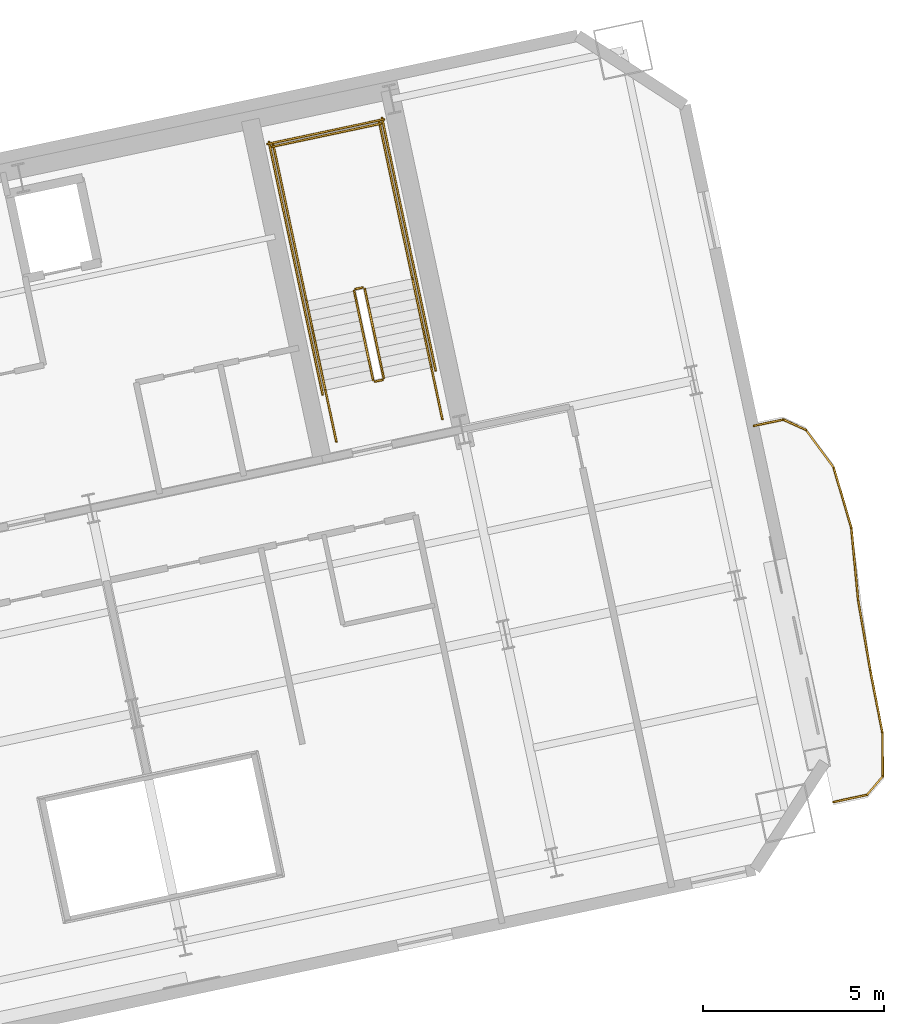
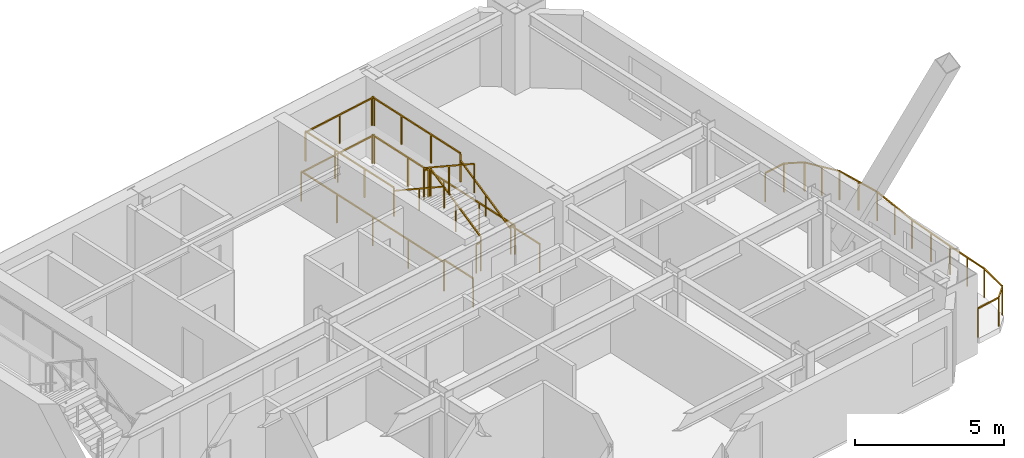
# One storey, part 14 of 14: 24 railings.
"""IFC4 building model written with IfcOpenShell, lengths in metres."""

from ifc_helpers import new_model, si_unit, direction, frame, origin, origin_2d, place, context, subcontext, project, spatial, rectangle, extrude, material, type_object, element, save


model = new_model("IFC4")

# Units and contexts
model_context = context("Model", 3, precision=1e-05, world=origin(), true_north=direction((0.0, 1.0)))
body_context = subcontext(model_context, "Body", "Model", "MODEL_VIEW")
ifc_project = project(units=[si_unit("LENGTHUNIT", "METRE"), si_unit("AREAUNIT", "SQUARE_METRE"), si_unit("VOLUMEUNIT", "CUBIC_METRE"), si_unit("PLANEANGLEUNIT", "RADIAN"), si_unit("MASSUNIT", "GRAM", prefix="KILO")], contexts=[model_context])

# Site, building, storey
site_placement = place(None, origin())
site = spatial("IfcSite", under=ifc_project, at=site_placement, CompositionType="ELEMENT")
building_placement = place(site_placement, origin())
building = spatial("IfcBuilding", under=site, at=building_placement, Name="Haevon Station Towers", CompositionType="ELEMENT")
storey_placement = place(building_placement, frame((0.0, 0.0, 123.0)))
storey = spatial("IfcBuildingStorey", under=building, at=storey_placement, Name="L33", CompositionType="ELEMENT", Elevation=123.0)

# Railings
ifc_material = material(Name="Steel S355", Category="steel")
railing_type_1 = type_object("IfcRailingType", Name="GRD-EXT1200", PredefinedType="GUARDRAIL", material=ifc_material)
railing_1_placement = place(storey_placement, frame((129.5849609375, 31.5009765625, 0.0)))
element("IfcRailing", 1, at=railing_1_placement, inside=storey, type_object=railing_type_1, Name="L33 Perimeter Guardrail 1", PredefinedType="GUARDRAIL", context=body_context, shape_type="SweptSolid", body=[
    extrude(rectangle(XDim=0.048095703125, YDim=0.048095703125, at=origin_2d()), frame((0.0, 0.0, 1.17578125), z_axis=(0.977749388256, 0.209776389914, 0.0), x_axis=(-0.209776389914, 0.977749388256, 0.0)), (0.0, 0.0, 1.0), 0.94384765625),
    extrude(rectangle(XDim=0.0419921875, YDim=0.0419921875, at=origin_2d()), origin(), (0.0, 0.0, 1.0), 1.15185546875),
    extrude(rectangle(XDim=0.0419921875, YDim=0.0419921875, at=origin_2d()), frame((0.9228515625, 0.197998046875, 0.0)), (0.0, 0.0, 1.0), 1.15185546875),
])
railing_2_placement = place(storey_placement, frame((130.5078125, 31.698974609375, 0.0)))
element("IfcRailing", 2, at=railing_2_placement, inside=storey, type_object=railing_type_1, Name="L33 Perimeter Guardrail 2", PredefinedType="GUARDRAIL", context=body_context, shape_type="SweptSolid", body=[
    extrude(rectangle(XDim=0.048095703125, YDim=0.048095703125, at=origin_2d()), frame((0.0, 0.0, 1.17578125), z_axis=(0.647469407295, 0.762091442424, 0.0), x_axis=(-0.762091442424, 0.647469407295, 0.0)), (0.0, 0.0, 1.0), 0.673095703125),
    extrude(rectangle(XDim=0.0419921875, YDim=0.0419921875, at=origin_2d()), origin(), (0.0, 0.0, 1.0), 1.15185546875),
    extrude(rectangle(XDim=0.0419921875, YDim=0.0419921875, at=origin_2d()), frame((0.435791015625, 0.512939453125, 0.0)), (0.0, 0.0, 1.0), 1.15185546875),
])
railing_3_placement = place(storey_placement, frame((130.943603515625, 32.2119140625, 0.0)))
element("IfcRailing", 3, at=railing_3_placement, inside=storey, type_object=railing_type_1, Name="L33 Perimeter Guardrail 3", PredefinedType="GUARDRAIL", context=body_context, shape_type="SweptSolid", body=[
    extrude(rectangle(XDim=0.048095703125, YDim=0.048095703125, at=origin_2d()), frame((0.0, 0.0, 1.17578125), z_axis=(-0.00838073592, 0.999964881016, 0.0), x_axis=(-0.999964881016, -0.00838073592, 0.0)), (0.0, 0.0, 1.0), 1.1943359375),
    extrude(rectangle(XDim=0.0419921875, YDim=0.0419921875, at=origin_2d()), origin(), (0.0, 0.0, 1.0), 1.15185546875),
    extrude(rectangle(XDim=0.0419921875, YDim=0.0419921875, at=origin_2d()), frame((-0.010009765625, 1.1943359375, 0.0)), (0.0, 0.0, 1.0), 1.15185546875),
])
railing_4_placement = place(storey_placement, frame((130.93359375, 33.40625, 0.0)))
element("IfcRailing", 4, at=railing_4_placement, inside=storey, type_object=railing_type_1, Name="L33 Perimeter Guardrail 4", PredefinedType="GUARDRAIL", context=body_context, shape_type="SweptSolid", body=[
    extrude(rectangle(XDim=0.048095703125, YDim=0.048095703125, at=origin_2d()), frame((0.0, 0.0, 1.17578125), z_axis=(-0.190668058383, 0.981654568325, 0.0), x_axis=(-0.981654568325, -0.190668058383, 0.0)), (0.0, 0.0, 1.0), 1.75048828125),
    extrude(rectangle(XDim=0.0419921875, YDim=0.0419921875, at=origin_2d()), origin(), (0.0, 0.0, 1.0), 1.15185546875),
    extrude(rectangle(XDim=0.0419921875, YDim=0.0419921875, at=origin_2d()), frame((-0.1669921875, 0.859130859375, 0.0)), (0.0, 0.0, 1.0), 1.15185546875),
    extrude(rectangle(XDim=0.0419921875, YDim=0.0419921875, at=origin_2d()), frame((-0.333740234375, 1.71826171875, 0.0)), (0.0, 0.0, 1.0), 1.15185546875),
])
railing_5_placement = place(storey_placement, frame((130.599853515625, 35.12451171875, 0.0)))
element("IfcRailing", 5, at=railing_5_placement, inside=storey, type_object=railing_type_1, Name="L33 Perimeter Guardrail 5", PredefinedType="GUARDRAIL", context=body_context, shape_type="SweptSolid", body=[
    extrude(rectangle(XDim=0.048095703125, YDim=0.048095703125, at=origin_2d()), frame((0.0, 0.0, 1.17578125), z_axis=(-0.170403994018, 0.985374283622, 0.0), x_axis=(-0.985374283622, -0.170403994018, 0.0)), (0.0, 0.0, 1.0), 1.989990234375),
    extrude(rectangle(XDim=0.0419921875, YDim=0.0419921875, at=origin_2d()), origin(), (0.0, 0.0, 1.0), 1.15185546875),
    extrude(rectangle(XDim=0.0419921875, YDim=0.0419921875, at=origin_2d()), frame((-0.16943359375, 0.98046875, 0.0)), (0.0, 0.0, 1.0), 1.15185546875),
    extrude(rectangle(XDim=0.0419921875, YDim=0.0419921875, at=origin_2d()), frame((-0.339111328125, 1.9609375, 0.0)), (0.0, 0.0, 1.0), 1.15185546875),
])
railing_6_placement = place(storey_placement, frame((130.2607421875, 37.08544921875, 0.0)))
element("IfcRailing", 6, at=railing_6_placement, inside=storey, type_object=railing_type_1, Name="L33 Perimeter Guardrail 6", PredefinedType="GUARDRAIL", context=body_context, shape_type="SweptSolid", body=[
    extrude(rectangle(XDim=0.048095703125, YDim=0.048095703125, at=origin_2d()), frame((0.0, 0.0, 1.17578125), z_axis=(-0.094223105493, 0.995551106871, 0.0), x_axis=(-0.995551106871, -0.094223105493, 0.0)), (0.0, 0.0, 1.0), 2.005615234375),
    extrude(rectangle(XDim=0.0419921875, YDim=0.0419921875, at=origin_2d()), origin(), (0.0, 0.0, 1.0), 1.15185546875),
    extrude(rectangle(XDim=0.0419921875, YDim=0.0419921875, at=origin_2d()), frame((-0.094482421875, 0.998291015625, 0.0)), (0.0, 0.0, 1.0), 1.15185546875),
    extrude(rectangle(XDim=0.0419921875, YDim=0.0419921875, at=origin_2d()), frame((-0.18896484375, 1.99658203125, 0.0)), (0.0, 0.0, 1.0), 1.15185546875),
])
railing_7_placement = place(storey_placement, frame((130.07177734375, 39.08203125, 0.0)))
element("IfcRailing", 7, at=railing_7_placement, inside=storey, type_object=railing_type_1, Name="L33 Perimeter Guardrail 7", PredefinedType="GUARDRAIL", context=body_context, shape_type="SweptSolid", body=[
    extrude(rectangle(XDim=0.048095703125, YDim=0.048095703125, at=origin_2d()), frame((0.0, 0.0, 1.17578125), z_axis=(-0.280310277148, 0.959909448086, 0.0), x_axis=(-0.959909448086, -0.280310277148, 0.0)), (0.0, 0.0, 1.0), 1.75244140625),
    extrude(rectangle(XDim=0.0419921875, YDim=0.0419921875, at=origin_2d()), origin(), (0.0, 0.0, 1.0), 1.15185546875),
    extrude(rectangle(XDim=0.0419921875, YDim=0.0419921875, at=origin_2d()), frame((-0.24560546875, 0.841064453125, 0.0)), (0.0, 0.0, 1.0), 1.15185546875),
    extrude(rectangle(XDim=0.0419921875, YDim=0.0419921875, at=origin_2d()), frame((-0.4912109375, 1.68212890625, 0.0)), (0.0, 0.0, 1.0), 1.15185546875),
])
railing_8_placement = place(storey_placement, frame((129.58056640625, 40.76416015625, 0.0)))
element("IfcRailing", 8, at=railing_8_placement, inside=storey, type_object=railing_type_1, Name="L33 Perimeter Guardrail 8", PredefinedType="GUARDRAIL", context=body_context, shape_type="SweptSolid", body=[
    extrude(rectangle(XDim=0.048095703125, YDim=0.048095703125, at=origin_2d()), frame((0.0, 0.0, 1.17578125), z_axis=(-0.594145202687, 0.804357804789, 0.0), x_axis=(-0.804357804789, -0.594145202687, 0.0)), (0.0, 0.0, 1.0), 1.284423828125),
    extrude(rectangle(XDim=0.0419921875, YDim=0.0419921875, at=origin_2d()), origin(), (0.0, 0.0, 1.0), 1.15185546875),
    extrude(rectangle(XDim=0.0419921875, YDim=0.0419921875, at=origin_2d()), frame((-0.381591796875, 0.5166015625, 0.0)), (0.0, 0.0, 1.0), 1.15185546875),
    extrude(rectangle(XDim=0.0419921875, YDim=0.0419921875, at=origin_2d()), frame((-0.76318359375, 1.033203125, 0.0)), (0.0, 0.0, 1.0), 1.15185546875),
])
railing_9_placement = place(storey_placement, frame((128.8173828125, 41.79736328125, 0.0)))
element("IfcRailing", 9, at=railing_9_placement, inside=storey, type_object=railing_type_1, Name="L33 Perimeter Guardrail 9", PredefinedType="GUARDRAIL", context=body_context, shape_type="SweptSolid", body=[
    extrude(rectangle(XDim=0.048095703125, YDim=0.048095703125, at=origin_2d()), frame((0.0, 0.0, 1.17578125), z_axis=(-0.908560452595, 0.41775340092, 0.0), x_axis=(-0.41775340092, -0.908560452595, 0.0)), (0.0, 0.0, 1.0), 0.6884765625),
    extrude(rectangle(XDim=0.0419921875, YDim=0.0419921875, at=origin_2d()), origin(), (0.0, 0.0, 1.0), 1.15185546875),
    extrude(rectangle(XDim=0.0419921875, YDim=0.0419921875, at=origin_2d()), frame((-0.62548828125, 0.28759765625, 0.0)), (0.0, 0.0, 1.0), 1.15185546875),
])
railing_10_placement = place(storey_placement, frame((128.19189453125, 42.0849609375, 0.0)))
element("IfcRailing", 10, at=railing_10_placement, inside=storey, type_object=railing_type_1, Name="L33 Perimeter Guardrail 10", PredefinedType="GUARDRAIL", context=body_context, shape_type="SweptSolid", body=[
    extrude(rectangle(XDim=0.048095703125, YDim=0.048095703125, at=origin_2d()), frame((0.0, 0.0, 1.17578125), z_axis=(-0.978605406054, -0.205746103834, 0.0), x_axis=(0.205746103834, -0.978605406054, 0.0)), (0.0, 0.0, 1.0), 0.837646484375),
    extrude(rectangle(XDim=0.0419921875, YDim=0.0419921875, at=origin_2d()), origin(), (0.0, 0.0, 1.0), 1.15185546875),
    extrude(rectangle(XDim=0.0419921875, YDim=0.0419921875, at=origin_2d()), frame((-0.81982421875, -0.17236328125, 0.0)), (0.0, 0.0, 1.0), 1.15185546875),
])
railing_type_2 = type_object("IfcRailingType", Name="GRD-STR1200", PredefinedType="GUARDRAIL", material=ifc_material)
railing_11_placement = place(storey_placement, frame((117.128662109375, 43.23974609375, 0.1650390625)))
element("IfcRailing", 11, at=railing_11_placement, inside=storey, type_object=railing_type_2, Name="L33 ST4 Stair Guard 1", PredefinedType="GUARDRAIL", context=body_context, shape_type="SweptSolid", body=[
    extrude(rectangle(XDim=0.048095703125, YDim=0.048095703125, at=origin_2d()), frame((0.0, 0.0, 1.17578125), z_axis=(-0.179128856099, 0.842723639875, 0.507670877349), x_axis=(-0.978147030254, -0.207914374695, 0.0)), (0.0, 0.0, 1.0), 2.9248046875),
    extrude(rectangle(XDim=0.0419921875, YDim=0.0419921875, at=origin_2d()), origin(), (0.0, 0.0, 1.0), 1.15185546875),
    extrude(rectangle(XDim=0.0419921875, YDim=0.0419921875, at=origin_2d()), frame((-0.261962890625, 1.232421875, 0.742431640625)), (0.0, 0.0, 1.0), 1.15185546875),
    extrude(rectangle(XDim=0.0419921875, YDim=0.0419921875, at=origin_2d()), frame((-0.52392578125, 2.46484375, 1.48486328125)), (0.0, 0.0, 1.0), 1.15185546875),
])
railing_12_placement = place(storey_placement, frame((116.54541015625, 45.7431640625, 1.64990234375)))
element("IfcRailing", 12, at=railing_12_placement, inside=storey, type_object=railing_type_2, Name="L33 ST4 Stair Guard 2", PredefinedType="GUARDRAIL", context=body_context, shape_type="SweptSolid", body=[
    extrude(rectangle(XDim=0.048095703125, YDim=0.048095703125, at=origin_2d()), frame((0.0, 0.0, 1.17578125), z_axis=(-0.97826412705, -0.207362720198, 0.0), x_axis=(0.207362720198, -0.97826412705, 0.0)), (0.0, 0.0, 1.0), 0.2001953125),
    extrude(rectangle(XDim=0.0419921875, YDim=0.0419921875, at=origin_2d()), origin(), (0.0, 0.0, 1.0), 1.15185546875),
    extrude(rectangle(XDim=0.0419921875, YDim=0.0419921875, at=origin_2d()), frame((-0.19580078125, -0.04150390625, 0.0)), (0.0, 0.0, 1.0), 1.15185546875),
])
railing_13_placement = place(storey_placement, frame((117.925048828125, 45.9853515625, 1.64990234375)))
element("IfcRailing", 13, at=railing_13_placement, inside=storey, type_object=railing_type_2, Name="L33 ST4 Stair Guard 3", PredefinedType="GUARDRAIL", context=body_context, shape_type="SweptSolid", body=[
    extrude(rectangle(XDim=0.048095703125, YDim=0.048095703125, at=origin_2d()), frame((0.0, 0.0, 1.17578125), z_axis=(-0.207876551949, 0.978155069071, 0.0), x_axis=(-0.978155069071, -0.207876551949, 0.0)), (0.0, 0.0, 1.0), 4.429931640625),
    extrude(rectangle(XDim=0.0419921875, YDim=0.0419921875, at=origin_2d()), origin(), (0.0, 0.0, 1.0), 1.15185546875),
    extrude(rectangle(XDim=0.0419921875, YDim=0.0419921875, at=origin_2d()), frame((-0.306884765625, 1.4443359375, 0.0)), (0.0, 0.0, 1.0), 1.15185546875),
    extrude(rectangle(XDim=0.0419921875, YDim=0.0419921875, at=origin_2d()), frame((-0.614013671875, 2.888916015625, 0.0)), (0.0, 0.0, 1.0), 1.15185546875),
    extrude(rectangle(XDim=0.0419921875, YDim=0.0419921875, at=origin_2d()), frame((-0.9208984375, 4.333251953125, 0.0)), (0.0, 0.0, 1.0), 1.15185546875),
])
railing_14_placement = place(storey_placement, frame((114.99072265625, 45.361572265625, 1.64990234375)))
element("IfcRailing", 14, at=railing_14_placement, inside=storey, type_object=railing_type_2, Name="L33 ST4 Stair Guard 4", PredefinedType="GUARDRAIL", context=body_context, shape_type="SweptSolid", body=[
    extrude(rectangle(XDim=0.048095703125, YDim=0.048095703125, at=origin_2d()), frame((0.0, 0.0, 1.17578125), z_axis=(-0.207929280007, 0.978143861871, 0.0), x_axis=(-0.978143861871, -0.207929280007, 0.0)), (0.0, 0.0, 1.0), 4.43017578125),
    extrude(rectangle(XDim=0.0419921875, YDim=0.0419921875, at=origin_2d()), origin(), (0.0, 0.0, 1.0), 1.15185546875),
    extrude(rectangle(XDim=0.0419921875, YDim=0.0419921875, at=origin_2d()), frame((-0.30712890625, 1.4443359375, 0.0)), (0.0, 0.0, 1.0), 1.15185546875),
    extrude(rectangle(XDim=0.0419921875, YDim=0.0419921875, at=origin_2d()), frame((-0.614013671875, 2.888916015625, 0.0)), (0.0, 0.0, 1.0), 1.15185546875),
    extrude(rectangle(XDim=0.0419921875, YDim=0.0419921875, at=origin_2d()), frame((-0.921142578125, 4.333251953125, 0.0)), (0.0, 0.0, 1.0), 1.15185546875),
])
railing_15_placement = place(storey_placement, frame((117.0634765625, 50.280029296875, 1.64990234375)))
element("IfcRailing", 15, at=railing_15_placement, inside=storey, type_object=railing_type_2, Name="L33 ST4 Stair Guard 5", PredefinedType="GUARDRAIL", context=body_context, shape_type="SweptSolid", body=[
    extrude(rectangle(XDim=0.048095703125, YDim=0.048095703125, at=origin_2d()), frame((0.0, 0.0, 1.17578125), z_axis=(-0.978146839882, -0.207915270313, 0.0), x_axis=(0.207915270313, -0.978146839882, 0.0)), (0.0, 0.0, 1.0), 3.099853515625),
    extrude(rectangle(XDim=0.0419921875, YDim=0.0419921875, at=origin_2d()), origin(), (0.0, 0.0, 1.0), 1.15185546875),
    extrude(rectangle(XDim=0.0419921875, YDim=0.0419921875, at=origin_2d()), frame((-1.51611328125, -0.322265625, 0.0)), (0.0, 0.0, 1.0), 1.15185546875),
    extrude(rectangle(XDim=0.0419921875, YDim=0.0419921875, at=origin_2d()), frame((-3.0322265625, -0.64453125, 0.0)), (0.0, 0.0, 1.0), 1.15185546875),
])
railing_16_placement = place(storey_placement, frame((116.311279296875, 45.642333984375, 1.81494140625)))
element("IfcRailing", 16, at=railing_16_placement, inside=storey, type_object=railing_type_2, Name="L33 ST4 Stair Guard 6", PredefinedType="GUARDRAIL", context=body_context, shape_type="SweptSolid", body=[
    extrude(rectangle(XDim=0.048095703125, YDim=0.048095703125, at=origin_2d()), frame((0.0, 0.0, 1.17578125), z_axis=(0.179108667068, -0.842712120868, 0.50769712105), x_axis=(0.978151217824, 0.207894673017, 0.0)), (0.0, 0.0, 1.0), 2.92529296875),
    extrude(rectangle(XDim=0.0419921875, YDim=0.0419921875, at=origin_2d()), origin(), (0.0, 0.0, 1.0), 1.15185546875),
    extrude(rectangle(XDim=0.0419921875, YDim=0.0419921875, at=origin_2d()), frame((0.261962890625, -1.232421875, 0.74267578125)), (0.0, 0.0, 1.0), 1.15185546875),
    extrude(rectangle(XDim=0.0419921875, YDim=0.0419921875, at=origin_2d()), frame((0.52392578125, -2.465087890625, 1.485107421875)), (0.0, 0.0, 1.0), 1.15185546875),
])
railing_17_placement = place(storey_placement, frame((117.090087890625, 43.180419921875, 0.0)))
element("IfcRailing", 17, at=railing_17_placement, inside=storey, type_object=railing_type_2, Name="L33 ST4 Stair Guard 7", PredefinedType="GUARDRAIL", context=body_context, shape_type="SweptSolid", body=[
    extrude(rectangle(XDim=0.048095703125, YDim=0.048095703125, at=origin_2d()), frame((0.0, 0.0, 1.17578125), z_axis=(-0.978211583308, -0.207610448392, 0.0), x_axis=(0.207610448392, -0.978211583308, 0.0)), (0.0, 0.0, 1.0), 0.199951171875),
    extrude(rectangle(XDim=0.0419921875, YDim=0.0419921875, at=origin_2d()), origin(), (0.0, 0.0, 1.0), 1.15185546875),
    extrude(rectangle(XDim=0.0419921875, YDim=0.0419921875, at=origin_2d()), frame((-0.195556640625, -0.04150390625, 0.0)), (0.0, 0.0, 1.0), 1.15185546875),
])
for number, where, name in (
    (18, (118.75048828125, 42.10205078125, 0.0), "L33 ST4 Stair Guard 8"),
    (19, (115.816162109375, 41.478271484375, 0.0), "L33 ST4 Stair Guard 9"),
):
    element("IfcRailing", number, at=place(storey_placement, frame(where)), inside=storey, type_object=railing_type_2, Name=name, PredefinedType="GUARDRAIL", context=body_context, shape_type="SweptSolid", body=[
        extrude(rectangle(XDim=0.048095703125, YDim=0.048095703125, at=origin_2d()), frame((0.0, 0.0, 1.17578125), z_axis=(-0.207919161079, 0.978146012851, 0.0), x_axis=(-0.978146012851, -0.207919161079, 0.0)), (0.0, 0.0, 1.0), 1.4501953125),
        extrude(rectangle(XDim=0.0419921875, YDim=0.0419921875, at=origin_2d()), origin(), (0.0, 0.0, 1.0), 1.15185546875),
        extrude(rectangle(XDim=0.0419921875, YDim=0.0419921875, at=origin_2d()), frame((-0.301513671875, 1.41845703125, 0.0)), (0.0, 0.0, 1.0), 1.15185546875),
    ])
railing_18_placement = place(storey_placement, frame((118.567626953125, 43.443359375, 0.0)))
element("IfcRailing", 20, at=railing_18_placement, inside=storey, type_object=railing_type_2, Name="L33 ST4 Stair Guard 10", PredefinedType="GUARDRAIL", context=body_context, shape_type="SweptSolid", body=[
    extrude(rectangle(XDim=0.048095703125, YDim=0.048095703125, at=origin_2d()), frame((0.0, 0.0, 1.17578125), z_axis=(-0.207908168386, 0.978148349443, 0.0), x_axis=(-0.978148349443, -0.207908168386, 0.0)), (0.0, 0.0, 1.0), 7.150146484375),
    extrude(rectangle(XDim=0.0419921875, YDim=0.0419921875, at=origin_2d()), origin(), (0.0, 0.0, 1.0), 1.15185546875),
    extrude(rectangle(XDim=0.0419921875, YDim=0.0419921875, at=origin_2d()), frame((-0.37158203125, 1.74853515625, 0.0)), (0.0, 0.0, 1.0), 1.15185546875),
    extrude(rectangle(XDim=0.0419921875, YDim=0.0419921875, at=origin_2d()), frame((-0.7431640625, 3.4970703125, 0.0)), (0.0, 0.0, 1.0), 1.15185546875),
    extrude(rectangle(XDim=0.0419921875, YDim=0.0419921875, at=origin_2d()), frame((-1.114990234375, 5.245361328125, 0.0)), (0.0, 0.0, 1.0), 1.15185546875),
    extrude(rectangle(XDim=0.0419921875, YDim=0.0419921875, at=origin_2d()), frame((-1.486572265625, 6.993896484375, 0.0)), (0.0, 0.0, 1.0), 1.15185546875),
])
railing_19_placement = place(storey_placement, frame((115.4375, 42.778076171875, 0.0)))
element("IfcRailing", 21, at=railing_19_placement, inside=storey, type_object=railing_type_2, Name="L33 ST4 Stair Guard 11", PredefinedType="GUARDRAIL", context=body_context, shape_type="SweptSolid", body=[
    extrude(rectangle(XDim=0.048095703125, YDim=0.048095703125, at=origin_2d()), frame((0.0, 0.0, 1.17578125), z_axis=(-0.207882442208, 0.978153817261, 0.0), x_axis=(-0.978153817261, -0.207882442208, 0.0)), (0.0, 0.0, 1.0), 7.14990234375),
    extrude(rectangle(XDim=0.0419921875, YDim=0.0419921875, at=origin_2d()), origin(), (0.0, 0.0, 1.0), 1.15185546875),
    extrude(rectangle(XDim=0.0419921875, YDim=0.0419921875, at=origin_2d()), frame((-0.37158203125, 1.74853515625, 0.0)), (0.0, 0.0, 1.0), 1.15185546875),
    extrude(rectangle(XDim=0.0419921875, YDim=0.0419921875, at=origin_2d()), frame((-0.7431640625, 3.496826171875, 0.0)), (0.0, 0.0, 1.0), 1.15185546875),
    extrude(rectangle(XDim=0.0419921875, YDim=0.0419921875, at=origin_2d()), frame((-1.11474609375, 5.2451171875, 0.0)), (0.0, 0.0, 1.0), 1.15185546875),
    extrude(rectangle(XDim=0.0419921875, YDim=0.0419921875, at=origin_2d()), frame((-1.486328125, 6.99365234375, 0.0)), (0.0, 0.0, 1.0), 1.15185546875),
])
railing_20_placement = place(storey_placement, frame((117.140380859375, 50.398681640625, 0.0)))
element("IfcRailing", 22, at=railing_20_placement, inside=storey, type_object=railing_type_2, Name="L33 ST4 Stair Guard 12", PredefinedType="GUARDRAIL", context=body_context, shape_type="SweptSolid", body=[
    extrude(rectangle(XDim=0.048095703125, YDim=0.048095703125, at=origin_2d()), frame((0.0, 0.0, 1.17578125), z_axis=(-0.978135717418, -0.207967589567, 0.0), x_axis=(0.207967589567, -0.978135717418, 0.0)), (0.0, 0.0, 1.0), 3.300048828125),
    extrude(rectangle(XDim=0.0419921875, YDim=0.0419921875, at=origin_2d()), origin(), (0.0, 0.0, 1.0), 1.15185546875),
    extrude(rectangle(XDim=0.0419921875, YDim=0.0419921875, at=origin_2d()), frame((-1.61376953125, -0.34326171875, 0.0)), (0.0, 0.0, 1.0), 1.15185546875),
    extrude(rectangle(XDim=0.0419921875, YDim=0.0419921875, at=origin_2d()), frame((-3.227783203125, -0.686279296875, 0.0)), (0.0, 0.0, 1.0), 1.15185546875),
])
railing_type_3 = type_object("IfcRailingType", Name="HND-STR900", PredefinedType="HANDRAIL", material=ifc_material)
railing_21_placement = place(storey_placement, frame((118.448974609375, 43.5205078125, 0.1650390625)))
element("IfcRailing", 23, at=railing_21_placement, inside=storey, type_object=railing_type_3, Name="L33 ST4 Stair Handrail 1", PredefinedType="HANDRAIL", context=body_context, shape_type="SweptSolid", body=[
    extrude(rectangle(XDim=0.048095703125, YDim=0.048095703125, at=origin_2d()), frame((0.0, 0.0, 0.8759765625), z_axis=(-0.179128856099, 0.842723639875, 0.507670877349), x_axis=(-0.978147030254, -0.207914374695, 0.0)), (0.0, 0.0, 1.0), 2.9248046875),
    extrude(rectangle(XDim=0.0419921875, YDim=0.0419921875, at=origin_2d()), origin(), (0.0, 0.0, 1.0), 0.851806640625),
    extrude(rectangle(XDim=0.0419921875, YDim=0.0419921875, at=origin_2d()), frame((-0.261962890625, 1.232421875, 0.742431640625)), (0.0, 0.0, 1.0), 0.851806640625),
    extrude(rectangle(XDim=0.0419921875, YDim=0.0419921875, at=origin_2d()), frame((-0.52392578125, 2.46484375, 1.48486328125)), (0.0, 0.0, 1.0), 0.851806640625),
])
railing_22_placement = place(storey_placement, frame((114.99072265625, 45.361572265625, 1.81494140625)))
element("IfcRailing", 24, at=railing_22_placement, inside=storey, type_object=railing_type_3, Name="L33 ST4 Stair Handrail 2", PredefinedType="HANDRAIL", context=body_context, shape_type="SweptSolid", body=[
    extrude(rectangle(XDim=0.048095703125, YDim=0.048095703125, at=origin_2d()), frame((0.0, 0.0, 0.8759765625), z_axis=(0.179121265225, -0.842687928106, 0.507732831485), x_axis=(0.978147030254, 0.207914374695, 0.0)), (0.0, 0.0, 1.0), 2.925048828125),
    extrude(rectangle(XDim=0.0419921875, YDim=0.0419921875, at=origin_2d()), origin(), (0.0, 0.0, 1.0), 0.851806640625),
    extrude(rectangle(XDim=0.0419921875, YDim=0.0419921875, at=origin_2d()), frame((0.261962890625, -1.232421875, 0.74267578125)), (0.0, 0.0, 1.0), 0.851806640625),
    extrude(rectangle(XDim=0.0419921875, YDim=0.0419921875, at=origin_2d()), frame((0.52392578125, -2.46484375, 1.485107421875)), (0.0, 0.0, 1.0), 0.851806640625),
])

save(model, "model.ifc")
